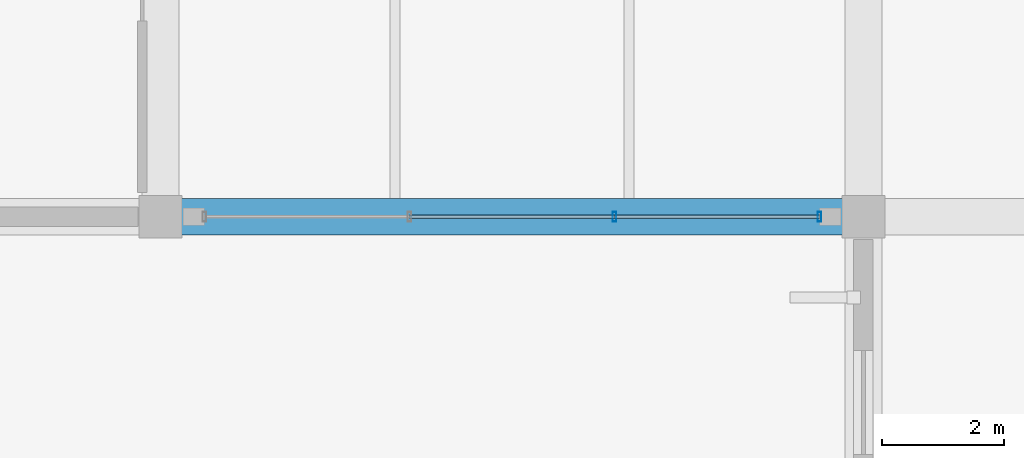
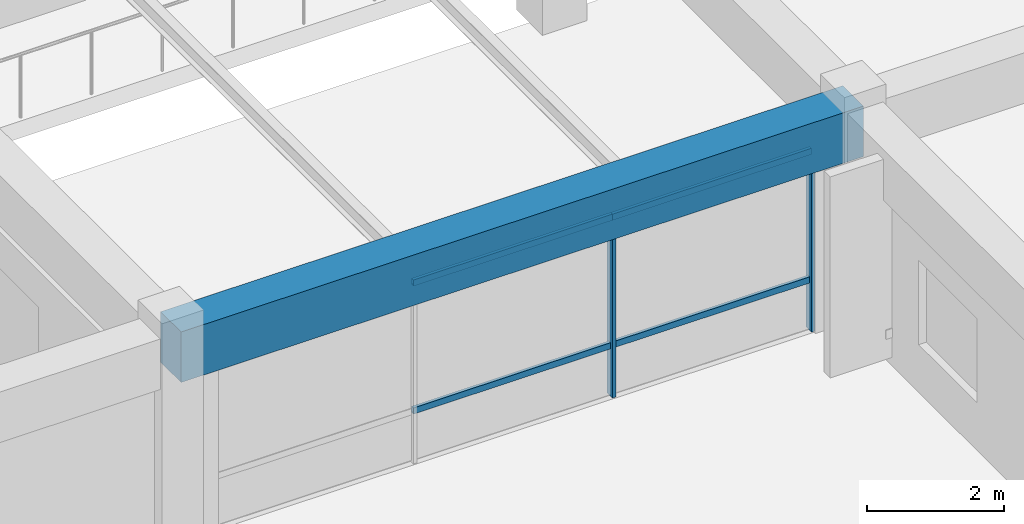
# One storey, part 61 of 109: 6 members, 1 beam, 1 element without a shape of its own.
"""IFC4 building model written with IfcOpenShell, lengths in metres."""

from ifc_helpers import new_model, si_unit, direction, frame, origin, origin_2d, place, context, subcontext, project, spatial, rectangle, hollow_rectangle, extrude, material, material_profile, profile_set, type_object, element, aggregate, save


model = new_model("IFC4")

# Units and contexts
model_context = context("Model", 3, precision=1e-05, world=origin(), true_north=direction((0.0, 1.0)))
body_context = subcontext(model_context, "Body", "Model", "MODEL_VIEW")
ifc_project = project(units=[si_unit("LENGTHUNIT", "METRE"), si_unit("AREAUNIT", "SQUARE_METRE"), si_unit("VOLUMEUNIT", "CUBIC_METRE"), si_unit("PLANEANGLEUNIT", "RADIAN"), si_unit("MASSUNIT", "GRAM", prefix="KILO")], contexts=[model_context])

# Site, building, storey
site_placement = place(None, origin())
site = spatial("IfcSite", under=ifc_project, at=site_placement, CompositionType="ELEMENT")
building_placement = place(site_placement, origin())
building = spatial("IfcBuilding", under=site, at=building_placement, Name="Ologun Quay Terminus", CompositionType="ELEMENT")
storey_placement = place(building_placement, origin())
storey = spatial("IfcBuildingStorey", under=building, at=storey_placement, Name="L00", CompositionType="ELEMENT", Elevation=0.0)

# Curtain wall, members
ifc_material_1 = material(Name="Aluminium 6063-T6", Category="aluminium")
curtain_wall_type = type_object("IfcCurtainWallType", Name="Forecourt Arcade Curtain Wall 10700x3750", PredefinedType="USERDEFINED", material=ifc_material_1)
curtain_wall_placement = place(storey_placement, origin())
curtain_wall = element("IfcCurtainWall", 1, at=curtain_wall_placement, inside=storey, type_object=curtain_wall_type, Name="CW-03 Curtain Wall CW-L00-009", ObjectType="UNITISED CURTAIN WALL", PredefinedType="USERDEFINED")
ifc_material_2 = material(Name="Aluminium 6063-T6", Category="aluminium")
ifc_material_profile_1 = material_profile(ifc_material_2, hollow_rectangle(XDim=0.06005859375, YDim=0.159912109375, WallThickness=0.00390625, at=origin_2d()), Name="ALU 160x60x4")
ifc_profile_set_1 = profile_set([ifc_material_profile_1], Name="Aluminium 6063-T6")
member_type_1 = type_object("IfcMemberType", Name="Curtain Wall Standard Mullion 160x65", PredefinedType="MULLION", material=ifc_profile_set_1)
member_1_placement = place(storey_placement, frame((168.4267578125, 27.199951171875, 0.0), z_axis=(0.0, 0.0, 1.0), x_axis=(1.0, 0.0, 0.0)))
member_1 = element("IfcMember", 2, at=member_1_placement, type_object=member_type_1, Name="CW-L00-009 Mullion 3", PredefinedType="MULLION", context=body_context, shape_type="SweptSolid", body=[
    extrude(hollow_rectangle(XDim=0.06005859375, YDim=0.159912109375, WallThickness=0.00390625, at=origin_2d()), origin(), (0.0, 0.0, 1.0), 3.8798828125),
])
member_2_placement = place(storey_placement, frame((171.780029296875, 27.199951171875, 0.0), z_axis=(0.0, 0.0, 1.0), x_axis=(1.0, 0.0, 0.0)))
member_2 = element("IfcMember", 3, at=member_2_placement, type_object=member_type_1, Name="CW-L00-009 Mullion 4", PredefinedType="MULLION", context=body_context, shape_type="SweptSolid", body=[
    extrude(hollow_rectangle(XDim=0.06005859375, YDim=0.159912109375, WallThickness=0.00390625, at=origin_2d()), origin(), (0.0, 0.0, 1.0), 3.8798828125),
])
ifc_material_3 = material(Name="Aluminium 6063-T6", Category="aluminium")
ifc_material_profile_2 = material_profile(ifc_material_3, hollow_rectangle(XDim=0.054931640625, YDim=0.110107421875, WallThickness=0.00390625, at=origin_2d()), Name="ALU 110x55x4")
ifc_profile_set_2 = profile_set([ifc_material_profile_2], Name="Aluminium 6063-T6")
member_type_2 = type_object("IfcMemberType", Name="Curtain Wall Standard Transom 110x55", PredefinedType="USERDEFINED", material=ifc_profile_set_2)
member_3_placement = place(storey_placement, frame((165.0732421875, 27.199951171875, 0.89990234375), z_axis=(1.0, 0.0, 0.0), x_axis=(0.0, 1.0, 0.0)))
member_3 = element("IfcMember", 4, at=member_3_placement, type_object=member_type_2, Name="CW-L00-009 Transom B2-1", ObjectType="TRANSOM", PredefinedType="USERDEFINED", context=body_context, shape_type="SweptSolid", body=[
    extrude(hollow_rectangle(XDim=0.054931640625, YDim=0.110107421875, WallThickness=0.00390625, at=origin_2d()), origin(), (0.0, 0.0, 1.0), 3.353515625),
])
member_4_placement = place(storey_placement, frame((165.0732421875, 27.199951171875, 3.179931640625), z_axis=(1.0, 0.0, 0.0), x_axis=(0.0, 1.0, 0.0)))
member_4 = element("IfcMember", 5, at=member_4_placement, type_object=member_type_2, Name="CW-L00-009 Transom B2-2", ObjectType="TRANSOM", PredefinedType="USERDEFINED", context=body_context, shape_type="SweptSolid", body=[
    extrude(hollow_rectangle(XDim=0.054931640625, YDim=0.110107421875, WallThickness=0.00390625, at=origin_2d()), origin(), (0.0, 0.0, 1.0), 3.353515625),
])
member_5_placement = place(storey_placement, frame((168.4267578125, 27.199951171875, 0.89990234375), z_axis=(1.0, 0.0, 0.0), x_axis=(0.0, 1.0, 0.0)))
member_5 = element("IfcMember", 6, at=member_5_placement, type_object=member_type_2, Name="CW-L00-009 Transom B3-1", ObjectType="TRANSOM", PredefinedType="USERDEFINED", context=body_context, shape_type="SweptSolid", body=[
    extrude(hollow_rectangle(XDim=0.054931640625, YDim=0.110107421875, WallThickness=0.00390625, at=origin_2d()), origin(), (0.0, 0.0, 1.0), 3.353271484375),
])
member_6_placement = place(storey_placement, frame((168.4267578125, 27.199951171875, 3.179931640625), z_axis=(1.0, 0.0, 0.0), x_axis=(0.0, 1.0, 0.0)))
member_6 = element("IfcMember", 7, at=member_6_placement, type_object=member_type_2, Name="CW-L00-009 Transom B3-2", ObjectType="TRANSOM", PredefinedType="USERDEFINED", context=body_context, shape_type="SweptSolid", body=[
    extrude(hollow_rectangle(XDim=0.054931640625, YDim=0.110107421875, WallThickness=0.00390625, at=origin_2d()), origin(), (0.0, 0.0, 1.0), 3.353271484375),
])
aggregate(curtain_wall, [member_1, member_2, member_3, member_4, member_5, member_6])

# Beam
ifc_material_4 = material(Name="Concrete C40/50", Category="concrete")
ifc_material_profile_3 = material_profile(ifc_material_4, rectangle(XDim=0.60009765625, YDim=0.89990234375, at=origin_2d()), Name="RC 600x900")
ifc_profile_set_3 = profile_set([ifc_material_profile_3], Name="Concrete C40/50")
beam_type = type_object("IfcBeamType", Name="Station Frame Girder 600x900", PredefinedType="BEAM", material=ifc_profile_set_3)
beam_placement = place(storey_placement, frame((161.0, 27.199951171875, 3.449951171875), z_axis=(1.0, 0.0, 0.0), x_axis=(0.0, 1.0, 0.0)))
element("IfcBeam", 8, at=beam_placement, inside=storey, type_object=beam_type, Name="B3 Beam 15/D L00", PredefinedType="BEAM", context=body_context, shape_type="SweptSolid", body=[
    extrude(rectangle(XDim=0.60009765625, YDim=0.89990234375, at=origin_2d()), origin(), (0.0, 0.0, 1.0), 11.5),
])

save(model, "model.ifc")
